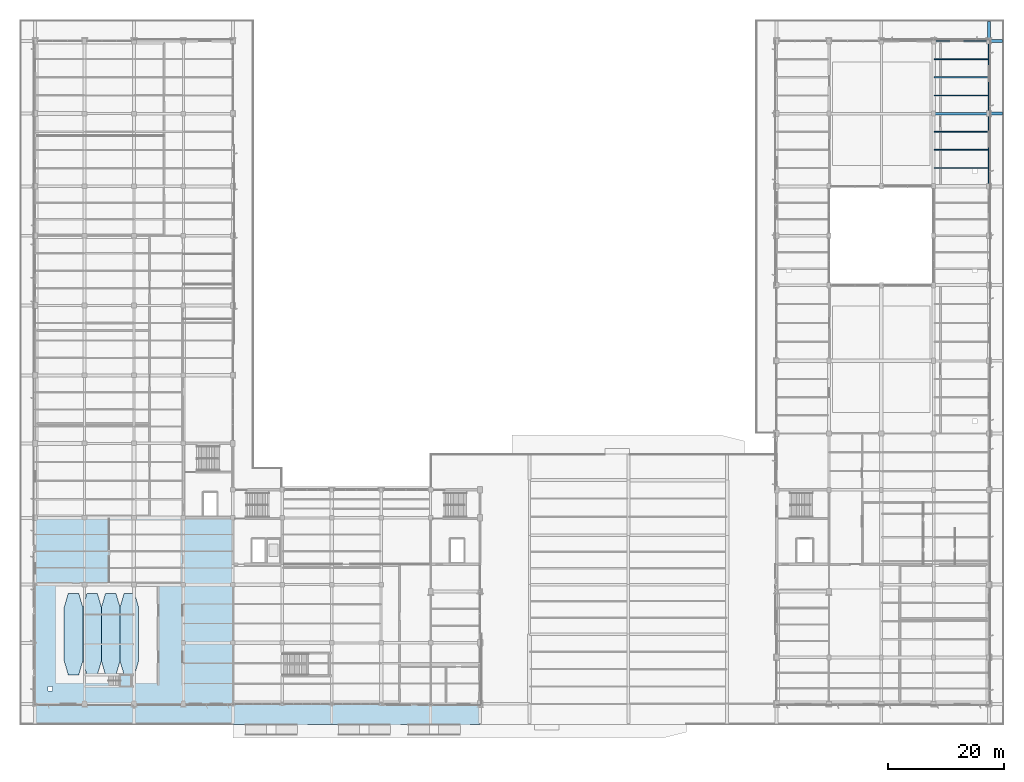
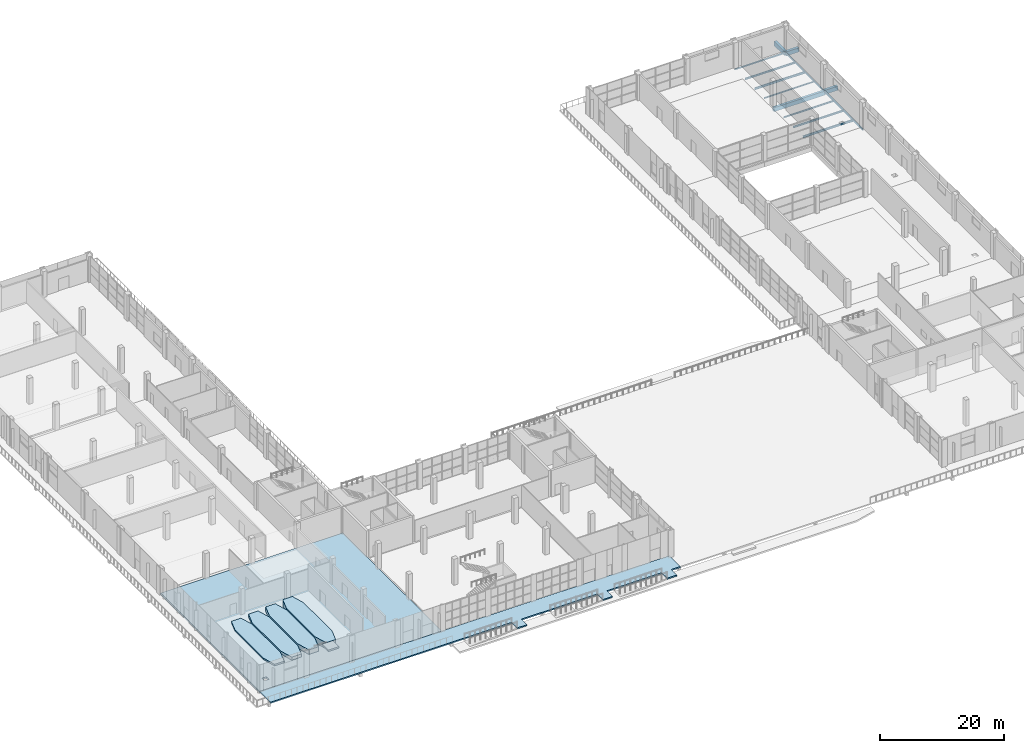
# One storey, part 60 of 90: 13 beams, 7 slabs, 1 element without a shape of its own.
"""IFC4 building model written with IfcOpenShell, lengths in metres."""

from ifc_helpers import new_model, si_unit, direction, frame, origin, origin_2d, place, context, subcontext, project, spatial, polyline, rectangle, hollow_rectangle, i_section, outline, extrude, material, layer, layer_set, material_profile, profile_set, type_object, element, aggregate, save


model = new_model("IFC4")

# Units and contexts
model_context = context("Model", 3, precision=1e-05, world=origin(), true_north=direction((0.0, 1.0)))
body_context = subcontext(model_context, "Body", "Model", "MODEL_VIEW")
ifc_project = project(units=[si_unit("LENGTHUNIT", "METRE"), si_unit("AREAUNIT", "SQUARE_METRE"), si_unit("VOLUMEUNIT", "CUBIC_METRE"), si_unit("PLANEANGLEUNIT", "RADIAN"), si_unit("MASSUNIT", "GRAM", prefix="KILO")], contexts=[model_context])

# Site, building, storey
site_placement = place(None, origin())
site = spatial("IfcSite", under=ifc_project, at=site_placement, CompositionType="ELEMENT")
building_placement = place(site_placement, origin())
building = spatial("IfcBuilding", under=site, at=building_placement, Name="Solvikara Media Centre", CompositionType="ELEMENT")
storey_placement = place(building_placement, origin())
storey = spatial("IfcBuildingStorey", under=building, at=storey_placement, Name="L00", CompositionType="ELEMENT", Elevation=0.0)

# Beams
ifc_material_1 = material(Name="Concrete fc' 35 MPa (C35/45)", Category="concrete")
ifc_material_profile_1 = material_profile(ifc_material_1, rectangle(XDim=0.449951171875, YDim=0.800048828125, at=origin_2d()), Name="RC 450x800")
ifc_profile_set_1 = profile_set([ifc_material_profile_1], Name="Concrete fc' 35 MPa (C35/45)")
beam_type_1 = type_object("IfcBeamType", Name="BM-06", PredefinedType="BEAM", material=ifc_profile_set_1)
beam_1_placement = place(storey_placement, frame((154.5, 101.5, -0.780029296875), z_axis=(1.0, 0.0, 0.0), x_axis=(0.0, 1.0, 0.0)))
element("IfcBeam", 1, at=beam_1_placement, inside=storey, type_object=beam_type_1, Name="B-L00-X0102", PredefinedType="BEAM", context=body_context, shape_type="SweptSolid", body=[
    extrude(rectangle(XDim=0.449951171875, YDim=0.800048828125, at=origin_2d()), origin(), (0.0, 0.0, 1.0), 9.5),
])
ifc_material_profile_2 = material_profile(ifc_material_1, rectangle(XDim=0.5, YDim=0.800048828125, at=origin_2d()), Name="RC 500x800")
ifc_profile_set_2 = profile_set([ifc_material_profile_2], Name="Concrete fc' 35 MPa (C35/45)")
beam_type_2 = type_object("IfcBeamType", Name="BM-07", PredefinedType="BEAM", material=ifc_profile_set_2)
for number, where, z_axis, x_axis, name in (
    (2, (164.0, 101.5, -0.64990234375), (1.0, 0.0, 0.0), (0.0, 1.0, 0.0), "B-L00-PRM-020"),
    (3, (164.0, 114.0, -0.64990234375), (1.0, 0.0, 0.0), (0.0, 1.0, 0.0), "B-L00-PRM-021"),
):
    element("IfcBeam", number, at=place(storey_placement, frame(where, z_axis=z_axis, x_axis=x_axis)), inside=storey, type_object=beam_type_2, Name=name, PredefinedType="BEAM", context=body_context, shape_type="SweptSolid", body=[
        extrude(rectangle(XDim=0.5, YDim=0.800048828125, at=origin_2d()), origin(), (0.0, 0.0, 1.0), 2.3798828125),
    ])
beam_2_placement = place(storey_placement, frame((164.0, 114.0, -0.64990234375), z_axis=(0.0, 1.0, 0.0), x_axis=(-1.0, 0.0, 0.0)))
element("IfcBeam", 4, at=beam_2_placement, inside=storey, type_object=beam_type_2, Name="B-L00-PRM-039", PredefinedType="BEAM", context=body_context, shape_type="SweptSolid", body=[
    extrude(rectangle(XDim=0.5, YDim=0.800048828125, at=origin_2d()), origin(), (0.0, 0.0, 1.0), 3.3798828125),
])
ifc_material_2 = material(Name="Steel S355JR", Category="steel")
ifc_material_profile_3 = material_profile(ifc_material_2, i_section(OverallWidth=0.199951171875, OverallDepth=0.39990234375, WebThickness=0.008056640625, FlangeThickness=0.012939453125, at=origin_2d()), Name="WF 400x200x8x13")
ifc_profile_set_3 = profile_set([ifc_material_profile_3], Name="Steel S355JR")
beam_type_3 = type_object("IfcBeamType", Name="BM-21", PredefinedType="JOIST", material=ifc_profile_set_3)
beam_3_placement = place(storey_placement, frame((154.577880859375, 92.125, -0.58203125), z_axis=(1.0, 0.0, 0.0), x_axis=(0.0, 1.0, 0.0)))
element("IfcBeam", 5, at=beam_3_placement, inside=storey, type_object=beam_type_3, Name="J-L00-0433", PredefinedType="JOIST", context=body_context, shape_type="SweptSolid", body=[
    extrude(i_section(OverallWidth=0.199951171875, OverallDepth=0.39990234375, WebThickness=0.008056640625, FlangeThickness=0.012939453125, at=origin_2d()), origin(), (0.0, 0.0, 1.0), 9.422119140625),
])
ifc_material_profile_4 = material_profile(ifc_material_2, i_section(OverallWidth=0.175048828125, OverallDepth=0.35009765625, WebThickness=0.007080078125, FlangeThickness=0.010986328125, at=origin_2d()), Name="WF 350x175x7x11")
ifc_profile_set_4 = profile_set([ifc_material_profile_4], Name="Steel S355JR")
beam_type_4 = type_object("IfcBeamType", Name="BM-22", PredefinedType="JOIST", material=ifc_profile_set_4)
beam_4_placement = place(storey_placement, frame((154.577880859375, 95.25, -0.556884765625), z_axis=(1.0, 0.0, 0.0), x_axis=(0.0, 1.0, 0.0)))
element("IfcBeam", 6, at=beam_4_placement, inside=storey, type_object=beam_type_4, Name="J-L00-0434", PredefinedType="JOIST", context=body_context, shape_type="SweptSolid", body=[
    extrude(i_section(OverallWidth=0.175048828125, OverallDepth=0.35009765625, WebThickness=0.007080078125, FlangeThickness=0.010986328125, at=origin_2d()), origin(), (0.0, 0.0, 1.0), 9.422119140625),
])
ifc_material_profile_5 = material_profile(ifc_material_2, i_section(OverallWidth=0.14990234375, OverallDepth=0.300048828125, WebThickness=0.006591796875, FlangeThickness=0.009033203125, at=origin_2d()), Name="WF 300x150x6.5x9")
ifc_profile_set_5 = profile_set([ifc_material_profile_5], Name="Steel S355JR")
beam_type_5 = type_object("IfcBeamType", Name="BM-23", PredefinedType="JOIST", material=ifc_profile_set_5)
beam_5_placement = place(storey_placement, frame((154.577880859375, 98.375, -0.531982421875), z_axis=(1.0, 0.0, 0.0), x_axis=(0.0, 1.0, 0.0)))
element("IfcBeam", 7, at=beam_5_placement, inside=storey, type_object=beam_type_5, Name="J-L00-0435", PredefinedType="JOIST", context=body_context, shape_type="SweptSolid", body=[
    extrude(i_section(OverallWidth=0.14990234375, OverallDepth=0.300048828125, WebThickness=0.006591796875, FlangeThickness=0.009033203125, at=origin_2d()), origin(), (0.0, 0.0, 1.0), 9.422119140625),
])
ifc_material_profile_6 = material_profile(ifc_material_2, i_section(OverallWidth=0.125, OverallDepth=0.25, WebThickness=0.006103515625, FlangeThickness=0.009033203125, at=origin_2d()), Name="WF 250x125x6x9")
ifc_profile_set_6 = profile_set([ifc_material_profile_6], Name="Steel S355JR")
beam_type_6 = type_object("IfcBeamType", Name="BM-24", PredefinedType="JOIST", material=ifc_profile_set_6)
beam_6_placement = place(storey_placement, frame((154.577880859375, 104.625, -0.507080078125), z_axis=(1.0, 0.0, 0.0), x_axis=(0.0, 1.0, 0.0)))
element("IfcBeam", 8, at=beam_6_placement, inside=storey, type_object=beam_type_6, Name="J-L00-0436", PredefinedType="JOIST", context=body_context, shape_type="SweptSolid", body=[
    extrude(i_section(OverallWidth=0.125, OverallDepth=0.25, WebThickness=0.006103515625, FlangeThickness=0.009033203125, at=origin_2d()), origin(), (0.0, 0.0, 1.0), 9.422119140625),
])
ifc_material_profile_7 = material_profile(ifc_material_2, hollow_rectangle(XDim=0.175048828125, YDim=0.35009765625, WallThickness=0.010009765625, at=origin_2d()), Name="RHS 350x175x10")
ifc_profile_set_7 = profile_set([ifc_material_profile_7], Name="Steel S355JR")
beam_type_7 = type_object("IfcBeamType", Name="BM-34", PredefinedType="SPANDREL", material=ifc_profile_set_7)
beam_7_placement = place(storey_placement, frame((164.0, 89.0, -0.556884765625), z_axis=(0.0, 1.0, 0.0), x_axis=(-1.0, 0.0, 0.0)))
element("IfcBeam", 9, at=beam_7_placement, inside=storey, type_object=beam_type_7, Name="B-L00-Y0236", PredefinedType="SPANDREL", context=body_context, shape_type="SweptSolid", body=[
    extrude(hollow_rectangle(XDim=0.175048828125, YDim=0.35009765625, WallThickness=0.010009765625, at=origin_2d()), origin(), (0.0, 0.0, 1.0), 12.5),
])
ifc_material_profile_8 = material_profile(ifc_material_2, hollow_rectangle(XDim=0.14990234375, YDim=0.300048828125, WallThickness=0.010009765625, at=origin_2d()), Name="RHS 300x150x10")
ifc_profile_set_8 = profile_set([ifc_material_profile_8], Name="Steel S355JR")
beam_type_8 = type_object("IfcBeamType", Name="BM-35", PredefinedType="BEAM", material=ifc_profile_set_8)
beam_8_placement = place(storey_placement, frame((164.0, 101.5, -0.531982421875), z_axis=(0.0, 1.0, 0.0), x_axis=(-1.0, 0.0, 0.0)))
element("IfcBeam", 10, at=beam_8_placement, inside=storey, type_object=beam_type_8, Name="B-L00-Y0237", PredefinedType="BEAM", context=body_context, shape_type="SweptSolid", body=[
    extrude(hollow_rectangle(XDim=0.14990234375, YDim=0.300048828125, WallThickness=0.010009765625, at=origin_2d()), origin(), (0.0, 0.0, 1.0), 12.5),
])
ifc_material_profile_9 = material_profile(ifc_material_2, hollow_rectangle(XDim=0.14990234375, YDim=0.25, WallThickness=0.008056640625, at=origin_2d()), Name="RHS 250x150x8")
ifc_profile_set_9 = profile_set([ifc_material_profile_9], Name="Steel S355JR")
beam_type_9 = type_object("IfcBeamType", Name="BM-36", PredefinedType="JOIST", material=ifc_profile_set_9)
beam_9_placement = place(storey_placement, frame((154.5, 114.0, -0.507080078125), z_axis=(1.0, 0.0, 0.0), x_axis=(0.0, 1.0, 0.0)))
element("IfcBeam", 11, at=beam_9_placement, inside=storey, type_object=beam_type_9, Name="B-L00-X0110", PredefinedType="JOIST", context=body_context, shape_type="SweptSolid", body=[
    extrude(hollow_rectangle(XDim=0.14990234375, YDim=0.25, WallThickness=0.008056640625, at=origin_2d()), origin(), (0.0, 0.0, 1.0), 9.5),
])
ifc_material_profile_10 = material_profile(ifc_material_2, i_section(OverallWidth=0.198974609375, OverallDepth=0.39599609375, WebThickness=0.007080078125, FlangeThickness=0.010986328125, at=origin_2d()), Name="WF 396x199x7x11")
ifc_profile_set_10 = profile_set([ifc_material_profile_10], Name="Steel S355JR")
beam_type_10 = type_object("IfcBeamType", Name="BM-37", PredefinedType="JOIST", material=ifc_profile_set_10)
beam_10_placement = place(storey_placement, frame((154.577880859375, 107.75, -0.580078125), z_axis=(1.0, 0.0, 0.0), x_axis=(0.0, 1.0, 0.0)))
element("IfcBeam", 12, at=beam_10_placement, inside=storey, type_object=beam_type_10, Name="J-L00-0437", PredefinedType="JOIST", context=body_context, shape_type="SweptSolid", body=[
    extrude(i_section(OverallWidth=0.198974609375, OverallDepth=0.39599609375, WebThickness=0.007080078125, FlangeThickness=0.010986328125, at=origin_2d()), origin(), (0.0, 0.0, 1.0), 9.422119140625),
])
ifc_material_profile_11 = material_profile(ifc_material_2, i_section(OverallWidth=0.174072265625, OverallDepth=0.345947265625, WebThickness=0.006103515625, FlangeThickness=0.009033203125, at=origin_2d()), Name="WF 346x174x6x9")
ifc_profile_set_11 = profile_set([ifc_material_profile_11], Name="Steel S355JR")
beam_type_11 = type_object("IfcBeamType", Name="BM-38", PredefinedType="JOIST", material=ifc_profile_set_11)
beam_11_placement = place(storey_placement, frame((154.577880859375, 110.875, -0.554931640625), z_axis=(1.0, 0.0, 0.0), x_axis=(0.0, 1.0, 0.0)))
element("IfcBeam", 13, at=beam_11_placement, inside=storey, type_object=beam_type_11, Name="J-L00-0438", PredefinedType="JOIST", context=body_context, shape_type="SweptSolid", body=[
    extrude(i_section(OverallWidth=0.174072265625, OverallDepth=0.345947265625, WebThickness=0.006103515625, FlangeThickness=0.009033203125, at=origin_2d()), origin(), (0.0, 0.0, 1.0), 9.422119140625),
])

# Slabs
ifc_layer_1 = layer(ifc_material_1, 0.340087890625)
ifc_layer_set_1 = layer_set([ifc_layer_1], Name="Concrete fc' 35 MPa (C35/45)")
slab_type_1 = type_object("IfcSlabType", Name="ST-03", PredefinedType="BASESLAB", material=ifc_layer_set_1)
slab_1_placement = place(storey_placement, frame((0.0, 0.0, -0.340087890625)))
element("IfcSlab", 14, at=slab_1_placement, inside=storey, type_object=slab_type_1, Name="SL-L00-V1", PredefinedType="BASESLAB", context=body_context, shape_type="SweptSolid", body=[
    extrude(outline(polyline([(0.0, 0.0), (34.0, 0.0), (34.0, 32.0), (0.0, 32.0), (0.0, 0.0)]), holes=[polyline([(2.199951171875, 2.199951171875), (3.0, 2.199951171875), (3.0, 3.0), (2.199951171875, 3.0), (2.199951171875, 2.199951171875)])]), origin(), (0.0, 0.0, 1.0), 0.340087890625),
])
ifc_layer_2 = layer(ifc_material_1, 0.25)
ifc_layer_set_2 = layer_set([ifc_layer_2], Name="Concrete fc' 35 MPa (C35/45)")
slab_type_2 = type_object("IfcSlabType", Name="ST-12", PredefinedType="FLOOR", material=ifc_layer_set_2)
slab_2_placement = place(storey_placement, frame((0.0, 0.0, -0.25)))
element("IfcSlab", 15, at=slab_2_placement, inside=storey, type_object=slab_type_2, Name="TER-L00-DROP", PredefinedType="FLOOR", context=body_context, shape_type="SweptSolid", body=[
    extrude(outline(polyline([(0.0, -3.550048828125), (45.0, -3.550048828125), (45.0, -5.35009765625), (46.800048828125, -5.35009765625), (46.800048828125, -3.550048828125), (61.0, -3.550048828125), (61.0, -5.35009765625), (62.800048828125, -5.35009765625), (62.800048828125, -3.550048828125), (73.0, -3.550048828125), (73.0, -5.35009765625), (74.800048828125, -5.35009765625), (74.800048828125, -3.550048828125), (76.5, -3.550048828125), (76.5, 0.0), (0.0, 0.0), (0.0, -3.550048828125)])), origin(), (0.0, 0.0, 1.0), 0.25),
])

# Stair, slab
stair_type = type_object("IfcStairType", Name="SR-07", PredefinedType="STRAIGHT_RUN_STAIR", material=ifc_material_1)
stair_placement = place(storey_placement, origin())
stair = element("IfcStair", 16, at=stair_placement, inside=storey, type_object=stair_type, Name="ST-GC-AISLE", PredefinedType="STRAIGHT_RUN_STAIR")
ifc_layer_3 = layer(ifc_material_1, 0.2900390625)
ifc_layer_set_3 = layer_set([ifc_layer_3], Name="Concrete fc' 35 MPa (C35/45)")
slab_type_3 = type_object("IfcSlabType", Name="ST-16", PredefinedType="LANDING", material=ifc_layer_set_3)
slab_3_placement = place(storey_placement, frame((0.0, 0.0, 0.909912109375)))
slab_3 = element("IfcSlab", 17, at=slab_3_placement, type_object=slab_type_3, Name="ST-GC-AISLE-ARR", PredefinedType="LANDING", context=body_context, shape_type="SweptSolid", body=[
    extrude(outline(polyline([(14.550048828125, 3.0), (16.550048828125, 3.0), (16.550048828125, 5.0), (14.550048828125, 5.0), (14.550048828125, 3.0)])), origin(), (0.0, 0.0, 1.0), 0.2900390625),
])
aggregate(stair, [slab_3])

# Slabs
ifc_layer_4 = layer(ifc_material_1, 0.300048828125)
ifc_layer_set_4 = layer_set([ifc_layer_4], Name="Concrete fc' 35 MPa (C35/45)")
slab_type_4 = type_object("IfcSlabType", Name="ST-17", PredefinedType="USERDEFINED", material=ifc_layer_set_4)
slab_4_placement = place(storey_placement, origin())
element("IfcSlab", 18, at=slab_4_placement, inside=storey, type_object=slab_type_4, Name="TIER-GC-01", ObjectType="SEATING TIER", PredefinedType="USERDEFINED", context=body_context, shape_type="SweptSolid", body=[
    extrude(outline(polyline([(5.699951171875, 5.0), (7.5, 5.0), (8.199951171875, 7.39990234375), (8.199951171875, 16.60009765625), (7.5, 19.0), (5.699951171875, 19.0), (5.0, 16.60009765625), (5.0, 7.39990234375), (5.699951171875, 5.0)])), origin(), (0.0, 0.0, 1.0), 0.300048828125),
])
ifc_layer_5 = layer(ifc_material_1, 0.60009765625)
ifc_layer_set_5 = layer_set([ifc_layer_5], Name="Concrete fc' 35 MPa (C35/45)")
slab_type_5 = type_object("IfcSlabType", Name="ST-19", PredefinedType="USERDEFINED", material=ifc_layer_set_5)
slab_5_placement = place(storey_placement, origin())
element("IfcSlab", 19, at=slab_5_placement, inside=storey, type_object=slab_type_5, Name="TIER-GC-02", ObjectType="SEATING TIER", PredefinedType="USERDEFINED", context=body_context, shape_type="SweptSolid", body=[
    extrude(outline(polyline([(8.89990234375, 5.0), (10.699951171875, 5.0), (11.39990234375, 7.39990234375), (11.39990234375, 16.60009765625), (10.699951171875, 19.0), (8.89990234375, 19.0), (8.199951171875, 16.60009765625), (8.199951171875, 7.39990234375), (8.89990234375, 5.0)])), origin(), (0.0, 0.0, 1.0), 0.60009765625),
])
ifc_layer_6 = layer(ifc_material_1, 0.89990234375)
ifc_layer_set_6 = layer_set([ifc_layer_6], Name="Concrete fc' 35 MPa (C35/45)")
slab_type_6 = type_object("IfcSlabType", Name="ST-20", PredefinedType="USERDEFINED", material=ifc_layer_set_6)
slab_6_placement = place(storey_placement, origin())
element("IfcSlab", 20, at=slab_6_placement, inside=storey, type_object=slab_type_6, Name="TIER-GC-03", ObjectType="SEATING TIER", PredefinedType="USERDEFINED", context=body_context, shape_type="SweptSolid", body=[
    extrude(outline(polyline([(12.10009765625, 5.0), (13.89990234375, 5.0), (14.60009765625, 7.39990234375), (14.60009765625, 16.60009765625), (13.89990234375, 19.0), (12.10009765625, 19.0), (11.39990234375, 16.60009765625), (11.39990234375, 7.39990234375), (12.10009765625, 5.0)])), origin(), (0.0, 0.0, 1.0), 0.89990234375),
])
ifc_layer_7 = layer(ifc_material_1, 1.199951171875)
ifc_layer_set_7 = layer_set([ifc_layer_7], Name="Concrete fc' 35 MPa (C35/45)")
slab_type_7 = type_object("IfcSlabType", Name="ST-21", PredefinedType="USERDEFINED", material=ifc_layer_set_7)
slab_7_placement = place(storey_placement, origin())
element("IfcSlab", 21, at=slab_7_placement, inside=storey, type_object=slab_type_7, Name="TIER-GC-04", ObjectType="SEATING TIER", PredefinedType="USERDEFINED", context=body_context, shape_type="SweptSolid", body=[
    extrude(outline(polyline([(15.300048828125, 5.0), (17.10009765625, 5.0), (17.800048828125, 7.39990234375), (17.800048828125, 16.60009765625), (17.10009765625, 19.0), (15.300048828125, 19.0), (14.60009765625, 16.60009765625), (14.60009765625, 7.39990234375), (15.300048828125, 5.0)])), origin(), (0.0, 0.0, 1.0), 1.199951171875),
])

save(model, "model.ifc")
